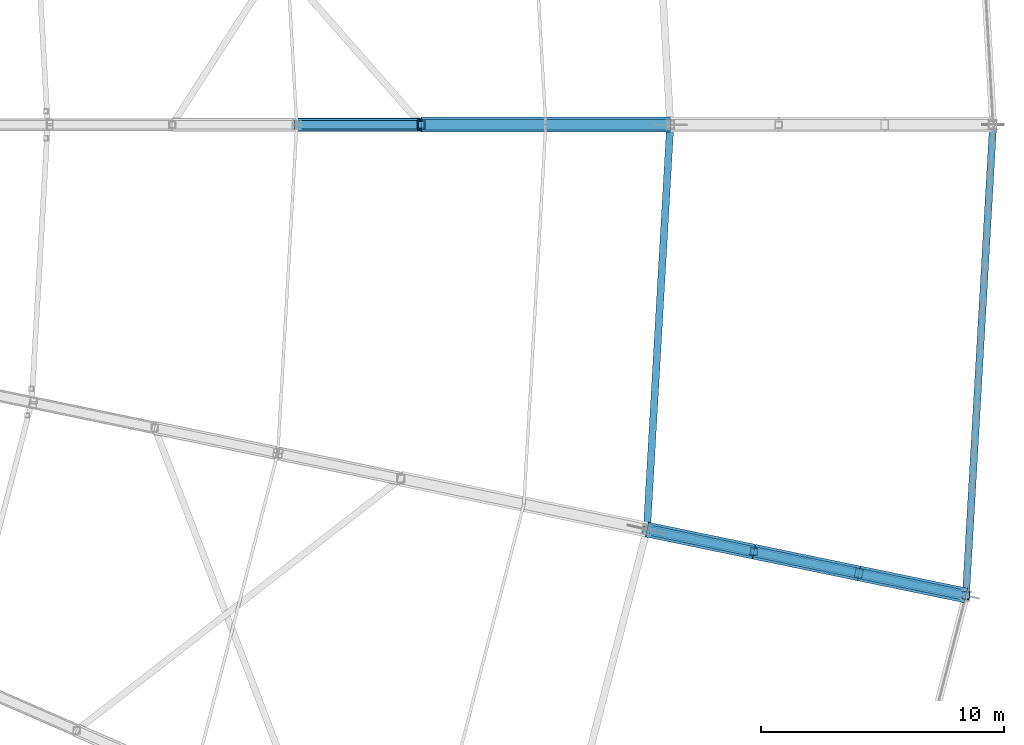
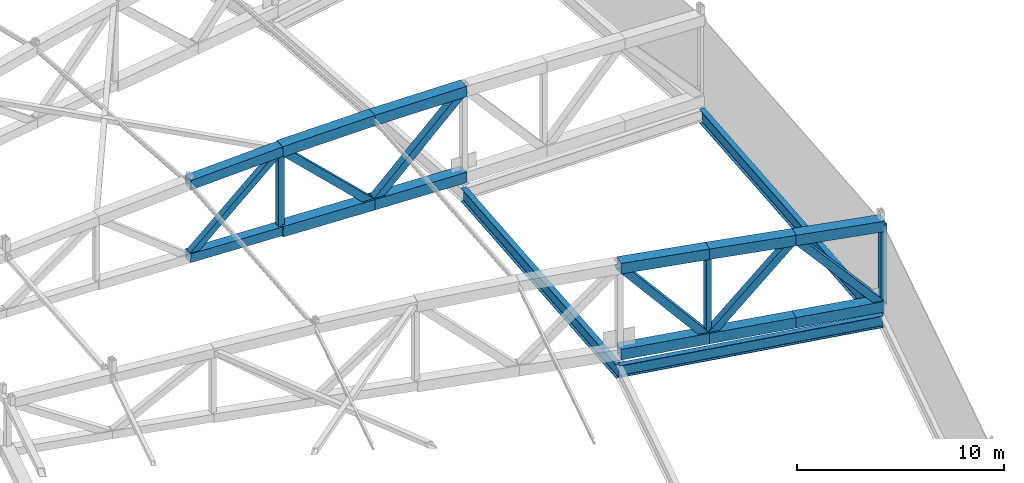
# One storey, part 57 of 162: 21 members, 3 beams.
"""IFC4 building model written with IfcOpenShell, lengths in metres."""

from ifc_helpers import new_model, si_unit, direction, frame, origin, origin_2d, place, context, subcontext, project, spatial, hollow_rectangle, i_section, extrude, material, material_profile, profile_set, type_object, element, save


model = new_model("IFC4")

# Units and contexts
model_context = context("Model", 3, precision=1e-05, world=origin(), true_north=direction((0.0, 1.0)))
body_context = subcontext(model_context, "Body", "Model", "MODEL_VIEW")
ifc_project = project(units=[si_unit("LENGTHUNIT", "METRE"), si_unit("AREAUNIT", "SQUARE_METRE"), si_unit("VOLUMEUNIT", "CUBIC_METRE"), si_unit("PLANEANGLEUNIT", "RADIAN"), si_unit("MASSUNIT", "GRAM", prefix="KILO")], contexts=[model_context])

# Site, building, storey
site_placement = place(None, origin())
site = spatial("IfcSite", under=ifc_project, at=site_placement, CompositionType="ELEMENT")
building_placement = place(site_placement, origin())
building = spatial("IfcBuilding", under=site, at=building_placement, Name="Kazemori Nagisa Stadium", CompositionType="ELEMENT")
storey_placement = place(building_placement, frame((0.0, 0.0, 36.719970703125)))
storey = spatial("IfcBuildingStorey", under=building, at=storey_placement, Name="RF", CompositionType="ELEMENT", Elevation=36.719970703125)

# Beams
ifc_material_1 = material(Name="Steel SN490B", Category="steel")
ifc_material_profile_1 = material_profile(ifc_material_1, i_section(OverallWidth=0.300048828125, OverallDepth=0.699951171875, WebThickness=0.012939453125, FlangeThickness=0.02392578125, FilletRadius=0.01806640625, at=origin_2d()), Name="H-700x300x13x24")
ifc_profile_set_1 = profile_set([ifc_material_profile_1], Name="Steel SN490B")
beam_type_1 = type_object("IfcBeamType", Name="Beam_BG-H700", PredefinedType="BEAM", material=ifc_profile_set_1)
beam_1_placement = place(storey_placement, frame((203.737548828125, 85.31787109375, -0.6298828125), z_axis=(0.979315516463, -0.202339119339, 0.0), x_axis=(0.202339119339, 0.979315516463, 0.0)))
element("IfcBeam", 1, at=beam_1_placement, inside=storey, type_object=beam_type_1, Name="Radial girder BG-H700 RF R2-R3-28", PredefinedType="BEAM", context=body_context, shape_type="SweptSolid", body=[
    extrude(i_section(OverallWidth=0.300048828125, OverallDepth=0.699951171875, WebThickness=0.012939453125, FlangeThickness=0.02392578125, FilletRadius=0.01806640625, at=origin_2d()), origin(), (0.0, 0.0, 1.0), 13.4208984375),
])
ifc_material_profile_2 = material_profile(ifc_material_1, i_section(OverallWidth=0.300048828125, OverallDepth=0.800048828125, WebThickness=0.013916015625, FlangeThickness=0.02587890625, FilletRadius=0.01806640625, at=origin_2d()), Name="H-800x300x14x26")
ifc_profile_set_2 = profile_set([ifc_material_profile_2], Name="Steel SN490B")
beam_type_2 = type_object("IfcBeamType", Name="Beam_BG-H800", PredefinedType="BEAM", material=ifc_profile_set_2)
beam_2_placement = place(storey_placement, frame((203.737548828125, 85.31787109375, -0.679931640625), z_axis=(0.057594854854, 0.998340038611, 0.0), x_axis=(-0.998340038611, 0.057594854854, 0.0)))
element("IfcBeam", 2, at=beam_2_placement, inside=storey, type_object=beam_type_2, Name="Ring girder BG-H800 RF R2-28", PredefinedType="BEAM", context=body_context, shape_type="SweptSolid", body=[
    extrude(i_section(OverallWidth=0.300048828125, OverallDepth=0.800048828125, WebThickness=0.013916015625, FlangeThickness=0.02587890625, FilletRadius=0.01806640625, at=origin_2d()), origin(), (0.0, 0.0, 1.0), 16.7099609375),
])
beam_3_placement = place(storey_placement, frame((216.880859375, 82.602294921875, -0.679931640625), z_axis=(0.057598702622, 0.998339816624, 0.0), x_axis=(-0.998339816624, 0.057598702622, 0.0)))
element("IfcBeam", 3, at=beam_3_placement, inside=storey, type_object=beam_type_2, Name="Roof compression ring beam BG-H800 R3-28", PredefinedType="BEAM", context=body_context, shape_type="SweptSolid", body=[
    extrude(i_section(OverallWidth=0.300048828125, OverallDepth=0.800048828125, WebThickness=0.013916015625, FlangeThickness=0.02587890625, FilletRadius=0.01806640625, at=origin_2d()), origin(), (0.0, 0.0, 1.0), 19.429931640625),
])

# Members
ifc_material_2 = material(Name="Steel STKR490", Category="steel")
ifc_material_profile_3 = material_profile(ifc_material_2, hollow_rectangle(XDim=0.360107421875, YDim=0.360107421875, WallThickness=0.013916015625, at=origin_2d()), Name="SHS-360x360x14")
ifc_profile_set_3 = profile_set([ifc_material_profile_3], Name="Steel STKR490")
member_type_1 = type_object("IfcMemberType", Name="Member_TB-SHS360", PredefinedType="BRACE", material=ifc_profile_set_3)
member_1_placement = place(storey_placement, frame((194.43994140625, 102.0, 5.580078125), z_axis=(-0.750298266271, 0.0, -0.661099471813), x_axis=(0.0, -1.0, 0.0)))
element("IfcMember", 4, at=member_1_placement, inside=storey, type_object=member_type_1, Name="Roof space truss diagonal RT-01-6", PredefinedType="BRACE", context=body_context, shape_type="SweptSolid", body=[
    extrude(hollow_rectangle(XDim=0.360107421875, YDim=0.360107421875, WallThickness=0.013916015625, at=origin_2d()), origin(), (0.0, 0.0, 1.0), 6.837158203125),
])
ifc_material_profile_4 = material_profile(ifc_material_2, hollow_rectangle(XDim=0.419921875, YDim=0.419921875, WallThickness=0.01611328125, at=origin_2d()), Name="SHS-420x420x16")
ifc_profile_set_4 = profile_set([ifc_material_profile_4], Name="Steel STKR490")
member_type_2 = type_object("IfcMemberType", Name="Member_TB-SHS420", PredefinedType="BRACE", material=ifc_profile_set_4)
member_2_placement = place(storey_placement, frame((204.699951171875, 102.0, 5.56005859375), z_axis=(-0.72311329737, 0.0, -0.690729439916), x_axis=(0.0, -1.0, 0.0)))
element("IfcMember", 5, at=member_2_placement, inside=storey, type_object=member_type_2, Name="Roof space truss diagonal RT-01-4", PredefinedType="BRACE", context=body_context, shape_type="SweptSolid", body=[
    extrude(hollow_rectangle(XDim=0.419921875, YDim=0.419921875, WallThickness=0.01611328125, at=origin_2d()), origin(), (0.0, 0.0, 1.0), 7.09423828125),
])
member_3_placement = place(storey_placement, frame((199.570068359375, 102.0, 0.659912109375), z_axis=(-0.721721492667, 0.0, 0.692183564542), x_axis=(0.0, -1.0, 0.0)))
element("IfcMember", 6, at=member_3_placement, inside=storey, type_object=member_type_2, Name="Roof space truss diagonal RT-01-5", PredefinedType="BRACE", context=body_context, shape_type="SweptSolid", body=[
    extrude(hollow_rectangle(XDim=0.419921875, YDim=0.419921875, WallThickness=0.01611328125, at=origin_2d()), origin(), (0.0, 0.0, 1.0), 7.108154296875),
])
member_4_placement = place(storey_placement, frame((216.880859375, 82.602294921875, 0.360107421875), z_axis=(-0.662864139427, 0.136952066432, 0.736108187811), x_axis=(-0.202333241472, -0.979316730887, 0.0)))
element("IfcMember", 7, at=member_4_placement, inside=storey, type_object=member_type_2, Name="Roof space truss diagonal RT-28-1", PredefinedType="BRACE", context=body_context, shape_type="SweptSolid", body=[
    extrude(hollow_rectangle(XDim=0.419921875, YDim=0.419921875, WallThickness=0.01611328125, at=origin_2d()), origin(), (0.0, 0.0, 1.0), 6.656494140625),
])
member_5_placement = place(storey_placement, frame((212.468505859375, 83.513916015625, 5.260009765625), z_axis=(-0.661047827979, 0.136589395176, -0.737806957306), x_axis=(-0.202351130202, -0.979313034788, 0.0)))
element("IfcMember", 8, at=member_5_placement, inside=storey, type_object=member_type_2, Name="Roof space truss diagonal RT-28-2", PredefinedType="BRACE", context=body_context, shape_type="SweptSolid", body=[
    extrude(hollow_rectangle(XDim=0.419921875, YDim=0.419921875, WallThickness=0.01611328125, at=origin_2d()), origin(), (0.0, 0.0, 1.0), 6.532958984375),
])
member_6_placement = place(storey_placement, frame((208.14990234375, 84.40625, 0.43994140625), z_axis=(-0.646950982028, 0.133664304039, 0.750725169872), x_axis=(-0.202333241472, -0.979316730887, 0.0)))
element("IfcMember", 9, at=member_6_placement, inside=storey, type_object=member_type_2, Name="Roof space truss diagonal RT-28-3", PredefinedType="BRACE", context=body_context, shape_type="SweptSolid", body=[
    extrude(hollow_rectangle(XDim=0.419921875, YDim=0.419921875, WallThickness=0.01611328125, at=origin_2d()), origin(), (0.0, 0.0, 1.0), 6.8203125),
])
ifc_material_profile_5 = material_profile(ifc_material_2, hollow_rectangle(XDim=0.52001953125, YDim=0.52001953125, WallThickness=0.01904296875, at=origin_2d()), Name="SHS-520x520x19")
ifc_profile_set_5 = profile_set([ifc_material_profile_5], Name="Steel STKR490")
member_type_3 = type_object("IfcMemberType", Name="Member_TC-SHS520", PredefinedType="CHORD", material=ifc_profile_set_5)
member_7_placement = place(storey_placement, frame((194.43994140625, 102.0, 0.860107421875), z_axis=(-0.999241232864, 0.0, 0.038948151995), x_axis=(0.0, -1.0, 0.0)))
element("IfcMember", 10, at=member_7_placement, inside=storey, type_object=member_type_3, Name="Roof space truss bottom chord RT-01-6", PredefinedType="CHORD", context=body_context, shape_type="SweptSolid", body=[
    extrude(hollow_rectangle(XDim=0.52001953125, YDim=0.52001953125, WallThickness=0.01904296875, at=origin_2d()), origin(), (0.0, 0.0, 1.0), 5.1337890625),
])
ifc_material_profile_6 = material_profile(ifc_material_2, hollow_rectangle(XDim=0.56005859375, YDim=0.56005859375, WallThickness=0.02001953125, at=origin_2d()), Name="SHS-560x560x20")
ifc_profile_set_6 = profile_set([ifc_material_profile_6], Name="Steel STKR490")
member_type_4 = type_object("IfcMemberType", Name="Member_TC-SHS560", PredefinedType="CHORD", material=ifc_profile_set_6)
member_8_placement = place(storey_placement, frame((194.43994140625, 102.0, 5.580078125), z_axis=(-0.999241232864, 0.0, -0.038948151995), x_axis=(0.0, -1.0, 0.0)))
element("IfcMember", 11, at=member_8_placement, inside=storey, type_object=member_type_4, Name="Roof space truss top chord RT-01-6", PredefinedType="CHORD", context=body_context, shape_type="SweptSolid", body=[
    extrude(hollow_rectangle(XDim=0.56005859375, YDim=0.56005859375, WallThickness=0.02001953125, at=origin_2d()), origin(), (0.0, 0.0, 1.0), 5.1337890625),
])
ifc_material_profile_7 = material_profile(ifc_material_2, hollow_rectangle(XDim=0.6201171875, YDim=0.6201171875, WallThickness=0.02197265625, at=origin_2d()), Name="SHS-620x620x22")
ifc_profile_set_7 = profile_set([ifc_material_profile_7], Name="Steel STKR490")
member_type_5 = type_object("IfcMemberType", Name="Member_TC-SHS620", PredefinedType="CHORD", material=ifc_profile_set_7)
member_9_placement = place(storey_placement, frame((204.699951171875, 102.0, 5.56005859375), z_axis=(-0.9999067308, 0.0, 0.013657587652), x_axis=(0.0, -1.0, 0.0)))
element("IfcMember", 12, at=member_9_placement, inside=storey, type_object=member_type_5, Name="Roof space truss top chord RT-01-4", PredefinedType="CHORD", context=body_context, shape_type="SweptSolid", body=[
    extrude(hollow_rectangle(XDim=0.6201171875, YDim=0.6201171875, WallThickness=0.02197265625, at=origin_2d()), origin(), (0.0, 0.0, 1.0), 5.13037109375),
])
member_10_placement = place(storey_placement, frame((204.699951171875, 102.0, 0.47998046875), z_axis=(-0.999385432348, 0.0, 0.035053639046), x_axis=(0.0, -1.0, 0.0)))
element("IfcMember", 13, at=member_10_placement, inside=storey, type_object=member_type_5, Name="Roof space truss bottom chord RT-01-4", PredefinedType="CHORD", context=body_context, shape_type="SweptSolid", body=[
    extrude(hollow_rectangle(XDim=0.6201171875, YDim=0.6201171875, WallThickness=0.02197265625, at=origin_2d()), origin(), (0.0, 0.0, 1.0), 5.133056640625),
])
member_11_placement = place(storey_placement, frame((199.570068359375, 102.0, 5.630126953125), z_axis=(-0.999952414942, 0.0, -0.009755401183), x_axis=(0.0, -1.0, 0.0)))
element("IfcMember", 14, at=member_11_placement, inside=storey, type_object=member_type_5, Name="Roof space truss top chord RT-01-5", PredefinedType="CHORD", context=body_context, shape_type="SweptSolid", body=[
    extrude(hollow_rectangle(XDim=0.6201171875, YDim=0.6201171875, WallThickness=0.02197265625, at=origin_2d()), origin(), (0.0, 0.0, 1.0), 5.13037109375),
])
member_12_placement = place(storey_placement, frame((199.570068359375, 102.0, 0.659912109375), z_axis=(-0.999239453248, 0.0, 0.0389937825), x_axis=(0.0, -1.0, 0.0)))
element("IfcMember", 15, at=member_12_placement, inside=storey, type_object=member_type_5, Name="Roof space truss bottom chord RT-01-5", PredefinedType="CHORD", context=body_context, shape_type="SweptSolid", body=[
    extrude(hollow_rectangle(XDim=0.6201171875, YDim=0.6201171875, WallThickness=0.02197265625, at=origin_2d()), origin(), (0.0, 0.0, 1.0), 5.134033203125),
])
member_13_placement = place(storey_placement, frame((216.880859375, 82.602294921875, 5.10009765625), z_axis=(-0.978700488518, 0.202205921769, 0.035469972887), x_axis=(-0.202333241472, -0.979316730887, 0.0)))
element("IfcMember", 16, at=member_13_placement, inside=storey, type_object=member_type_5, Name="Roof space truss top chord RT-28-1", PredefinedType="CHORD", context=body_context, shape_type="SweptSolid", body=[
    extrude(hollow_rectangle(XDim=0.6201171875, YDim=0.6201171875, WallThickness=0.02197265625, at=origin_2d()), origin(), (0.0, 0.0, 1.0), 4.50830078125),
])
member_14_placement = place(storey_placement, frame((216.880859375, 82.602294921875, 0.360107421875), z_axis=(-0.97927806384, 0.202325252608, 0.008886272477), x_axis=(-0.202333241472, -0.979316730887, 0.0)))
element("IfcMember", 17, at=member_14_placement, inside=storey, type_object=member_type_5, Name="Roof space truss bottom chord RT-28-1", PredefinedType="CHORD", context=body_context, shape_type="SweptSolid", body=[
    extrude(hollow_rectangle(XDim=0.6201171875, YDim=0.6201171875, WallThickness=0.02197265625, at=origin_2d()), origin(), (0.0, 0.0, 1.0), 4.505615234375),
])
member_15_placement = place(storey_placement, frame((212.468505859375, 83.513916015625, 5.260009765625), z_axis=(-0.978669780652, 0.202218217439, 0.0362388324), x_axis=(-0.202351130202, -0.979313034788, 0.0)))
element("IfcMember", 18, at=member_15_placement, inside=storey, type_object=member_type_5, Name="Roof space truss top chord RT-28-2", PredefinedType="CHORD", context=body_context, shape_type="SweptSolid", body=[
    extrude(hollow_rectangle(XDim=0.6201171875, YDim=0.6201171875, WallThickness=0.02197265625, at=origin_2d()), origin(), (0.0, 0.0, 1.0), 4.412841796875),
])
member_16_placement = place(storey_placement, frame((212.468505859375, 83.513916015625, 0.400146484375), z_axis=(-0.979273161988, 0.202342891462, 0.009023773272), x_axis=(-0.202351130202, -0.979313034788, 0.0)))
element("IfcMember", 19, at=member_16_placement, inside=storey, type_object=member_type_5, Name="Roof space truss bottom chord RT-28-2", PredefinedType="CHORD", context=body_context, shape_type="SweptSolid", body=[
    extrude(hollow_rectangle(XDim=0.6201171875, YDim=0.6201171875, WallThickness=0.02197265625, at=origin_2d()), origin(), (0.0, 0.0, 1.0), 4.409912109375),
])
member_17_placement = place(storey_placement, frame((208.14990234375, 84.40625, 5.419921875), z_axis=(-0.978843374928, 0.202235443035, 0.031088147912), x_axis=(-0.202333241472, -0.979316730887, 0.0)))
element("IfcMember", 20, at=member_17_placement, inside=storey, type_object=member_type_5, Name="Roof space truss top chord RT-28-3", PredefinedType="CHORD", context=body_context, shape_type="SweptSolid", body=[
    extrude(hollow_rectangle(XDim=0.6201171875, YDim=0.6201171875, WallThickness=0.02197265625, at=origin_2d()), origin(), (0.0, 0.0, 1.0), 4.5078125),
])
member_18_placement = place(storey_placement, frame((208.14990234375, 84.40625, 0.43994140625), z_axis=(-0.97927806384, 0.202325252608, 0.008886272477), x_axis=(-0.202333241472, -0.979316730887, 0.0)))
element("IfcMember", 21, at=member_18_placement, inside=storey, type_object=member_type_5, Name="Roof space truss bottom chord RT-28-3", PredefinedType="CHORD", context=body_context, shape_type="SweptSolid", body=[
    extrude(hollow_rectangle(XDim=0.6201171875, YDim=0.6201171875, WallThickness=0.02197265625, at=origin_2d()), origin(), (0.0, 0.0, 1.0), 4.505615234375),
])
ifc_material_profile_8 = material_profile(ifc_material_2, hollow_rectangle(XDim=0.280029296875, YDim=0.280029296875, WallThickness=0.010009765625, at=origin_2d()), Name="SHS-280x280x10")
ifc_profile_set_8 = profile_set([ifc_material_profile_8], Name="Steel STKR490")
member_type_6 = type_object("IfcMemberType", Name="Member_TS-SHS280", PredefinedType="STRUT", material=ifc_profile_set_8)
member_19_placement = place(storey_placement, frame((208.14990234375, 84.40625, 0.43994140625), z_axis=(0.0, 0.0, 1.0), x_axis=(1.0, 0.0, 0.0)))
element("IfcMember", 22, at=member_19_placement, inside=storey, type_object=member_type_6, Name="Roof space truss strut RT-28-3", PredefinedType="STRUT", context=body_context, shape_type="SweptSolid", body=[
    extrude(hollow_rectangle(XDim=0.280029296875, YDim=0.280029296875, WallThickness=0.010009765625, at=origin_2d()), origin(), (0.0, 0.0, 1.0), 4.97998046875),
])
ifc_material_profile_9 = material_profile(ifc_material_2, hollow_rectangle(XDim=0.320068359375, YDim=0.320068359375, WallThickness=0.011962890625, at=origin_2d()), Name="SHS-320x320x12")
ifc_profile_set_9 = profile_set([ifc_material_profile_9], Name="Steel STKR490")
member_type_7 = type_object("IfcMemberType", Name="Member_TS-SHS320", PredefinedType="STRUT", material=ifc_profile_set_9)
member_20_placement = place(storey_placement, frame((194.43994140625, 102.0, 0.860107421875), z_axis=(0.0, 0.0, 1.0), x_axis=(1.0, 0.0, 0.0)))
element("IfcMember", 23, at=member_20_placement, inside=storey, type_object=member_type_7, Name="Roof space truss strut RT-01-6", PredefinedType="STRUT", context=body_context, shape_type="SweptSolid", body=[
    extrude(hollow_rectangle(XDim=0.320068359375, YDim=0.320068359375, WallThickness=0.011962890625, at=origin_2d()), origin(), (0.0, 0.0, 1.0), 4.719970703125),
])
member_21_placement = place(storey_placement, frame((216.880859375, 82.602294921875, 0.360107421875), z_axis=(0.0, 0.0, 1.0), x_axis=(1.0, 0.0, 0.0)))
element("IfcMember", 24, at=member_21_placement, inside=storey, type_object=member_type_7, Name="Roof space truss strut RT-28-1", PredefinedType="STRUT", context=body_context, shape_type="SweptSolid", body=[
    extrude(hollow_rectangle(XDim=0.320068359375, YDim=0.320068359375, WallThickness=0.011962890625, at=origin_2d()), origin(), (0.0, 0.0, 1.0), 4.739990234375),
])

save(model, "model.ifc")
